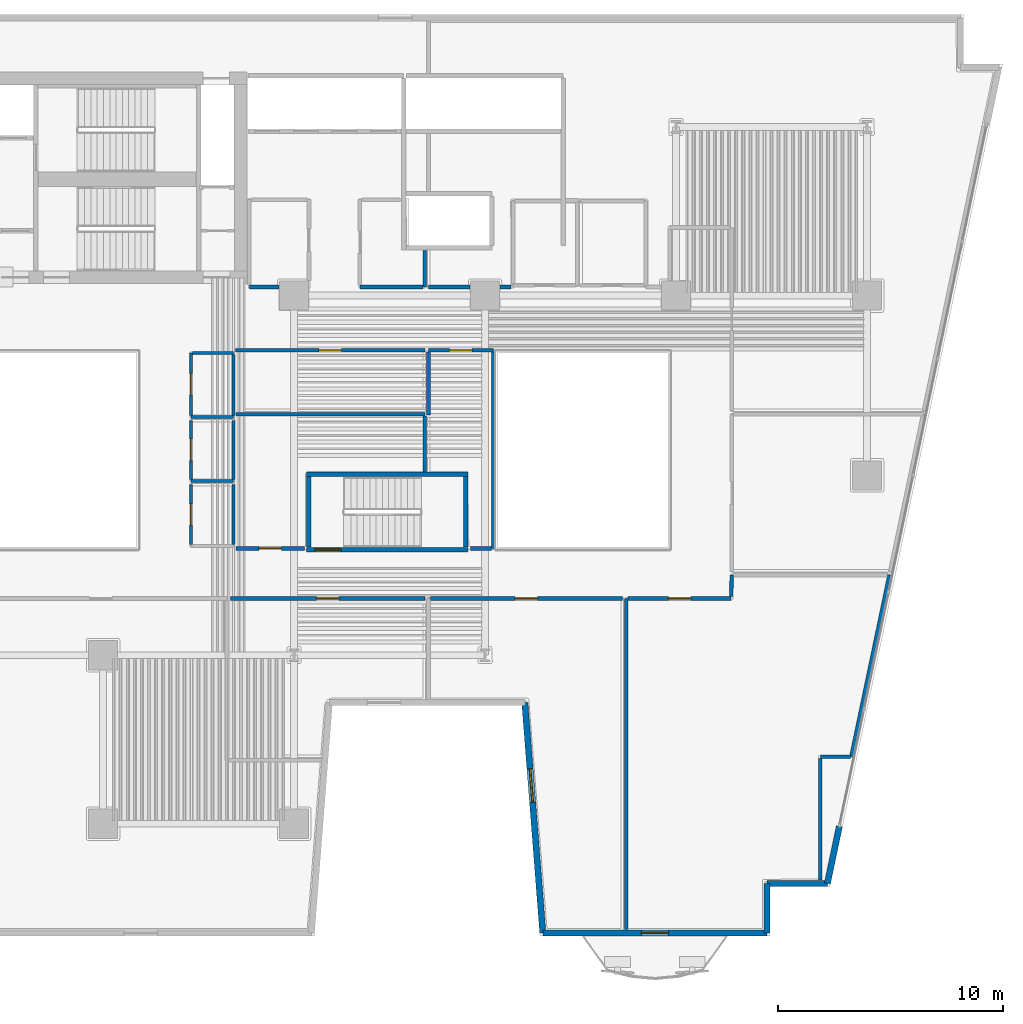
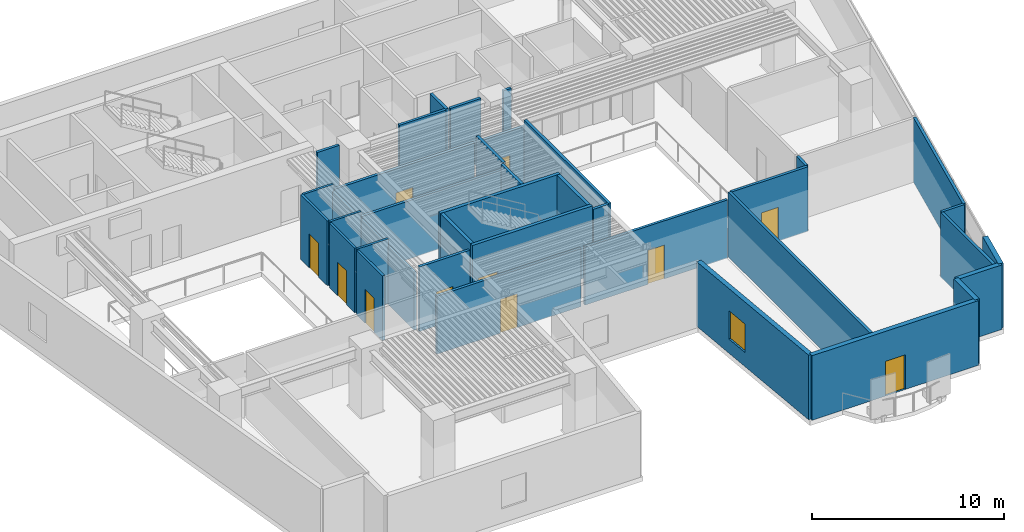
# One storey, part 4 of 12: 39 walls, 11 doors, 1 window, 12 openings.
"""IFC4 building model written with IfcOpenShell, lengths in metres."""

from ifc_helpers import new_model, si_unit, direction, frame, frame_2d, origin, place, context, subcontext, project, spatial, rectangle, extrude, material, layer, layer_set, type_object, element, fill, save


model = new_model("IFC4")

# Units and contexts
model_context = context("Model", 3, precision=1e-05, world=origin(), true_north=direction((0.0, 1.0)))
body_context = subcontext(model_context, "Body", "Model", "MODEL_VIEW")
ifc_project = project(units=[si_unit("LENGTHUNIT", "METRE"), si_unit("AREAUNIT", "SQUARE_METRE"), si_unit("VOLUMEUNIT", "CUBIC_METRE"), si_unit("PLANEANGLEUNIT", "RADIAN"), si_unit("MASSUNIT", "GRAM", prefix="KILO")], contexts=[model_context])

# Site, building, storey
site_placement = place(None, origin())
site = spatial("IfcSite", under=ifc_project, at=site_placement, CompositionType="ELEMENT")
building_placement = place(site_placement, origin())
building = spatial("IfcBuilding", under=site, at=building_placement, Name="Caeloran Harvest Quay", CompositionType="ELEMENT")
storey_placement = place(building_placement, frame((0.0, 0.0, 57.800048828125)))
storey = spatial("IfcBuildingStorey", under=building, at=storey_placement, Name="L13", CompositionType="ELEMENT", Elevation=57.800048828125)

# Walls
ifc_material_1 = material(Name="Precast concrete C50/60", Category="concrete")
ifc_layer_1 = layer(ifc_material_1, 0.280029296875, Name="Precast concrete C50/60")
ifc_layer_set_1 = layer_set([ifc_layer_1], Name="Precast concrete C50/60")
wall_type_1 = type_object("IfcWallType", Name="ENV-WALL-EW-280", PredefinedType="STANDARD", material=ifc_layer_set_1)
wall_1_placement = place(storey_placement, frame((49.77001953125, 7.384521484375, 0.0), z_axis=(0.0, 0.0, 1.0), x_axis=(-0.205551409765, -0.978646319128, 0.0)))
element("IfcWall", 1, at=wall_1_placement, inside=storey, type_object=wall_type_1, Name="L13 Exterior Facade Corner Pier Wall 9B", PredefinedType="STANDARD", context=body_context, shape_type="SweptSolid", body=[
    extrude(rectangle(XDim=2.599853515625, YDim=0.280029296875, at=frame_2d((1.2998046875, 0.0))), origin(), (0.0, 0.0, 1.0), 4.099853515625),
])
wall_2_placement = place(storey_placement, frame((49.235595703125, 4.840087890625, 0.0), z_axis=(0.0, 0.0, 1.0), x_axis=(-1.0, 0.0, 0.0)))
element("IfcWall", 2, at=wall_2_placement, inside=storey, type_object=wall_type_1, Name="L13 Exterior Precast Concrete Facade Wall 10", PredefinedType="STANDARD", context=body_context, shape_type="SweptSolid", body=[
    extrude(rectangle(XDim=2.6884765625, YDim=0.280029296875, at=frame_2d((1.34423828125, 0.0))), origin(), (0.0, 0.0, 1.0), 4.099853515625),
])
wall_3_placement = place(storey_placement, frame((46.547119140625, 4.840087890625, 0.0), z_axis=(0.0, 0.0, 1.0), x_axis=(0.0, -1.0, 0.0)))
element("IfcWall", 3, at=wall_3_placement, inside=storey, type_object=wall_type_1, Name="L13 Exterior Precast Concrete Facade Wall 11", PredefinedType="STANDARD", context=body_context, shape_type="SweptSolid", body=[
    extrude(rectangle(XDim=2.2001953125, YDim=0.280029296875, at=frame_2d((1.10009765625, 0.0))), origin(), (0.0, 0.0, 1.0), 4.099853515625),
])

# Wall, opening, door
wall_4_placement = place(storey_placement, frame((46.547119140625, 2.639892578125, 0.0), z_axis=(0.0, 0.0, 1.0), x_axis=(-1.0, 0.0, 0.0)))
wall_4 = element("IfcWall", 4, at=wall_4_placement, inside=storey, type_object=wall_type_1, Name="L13 Exterior Precast Concrete Facade Wall 12", PredefinedType="STANDARD", context=body_context, shape_type="SweptSolid", body=[
    extrude(rectangle(XDim=9.97705078125, YDim=0.280029296875, at=frame_2d((4.988525390625, 0.0))), origin(), (0.0, 0.0, 1.0), 4.099853515625),
])
opening_1_placement = place(wall_4_placement, frame((4.387939453125, 0.0, 0.0)))
opening_1 = element("IfcOpeningElement", 5, at=opening_1_placement, cuts=wall_4, Name="Opening BD-01", PredefinedType="OPENING", context=body_context, shape_type="SweptSolid", body=[
    extrude(rectangle(XDim=1.199951171875, YDim=2.199951171875, at=frame_2d((0.60009765625, 1.10009765625))), frame((0.0, 0.14990234375, 0.0), z_axis=(0.0, -1.0, 0.0), x_axis=(1.0, 0.0, 0.0)), (0.0, 0.0, 1.0), 0.300048828125),
])
ifc_material_2 = material(Name="Thermally Broken Powder-Coated Aluminium and Safety Glass", Category="aluminium")
door_type_1 = type_object("IfcDoorType", Name="EXTDOOR-BD-01", OperationType="NOTDEFINED", PredefinedType="DOOR", material=ifc_material_2)
door_1_placement = place(opening_1_placement, origin())
door_1 = element("IfcDoor", 6, at=door_1_placement, inside=storey, type_object=door_type_1, Name="L13 Planted Balcony Glazed Access Door", OperationType="SINGLE_SWING_RIGHT", OverallHeight=2.199951171875, OverallWidth=1.199951171875, PredefinedType="DOOR", context=body_context, shape_type="SweptSolid", body=[
    extrude(rectangle(XDim=1.199951171875, YDim=2.199951171875, at=frame_2d((0.60009765625, 1.10009765625))), frame((0.0, 0.02490234375, 0.0), z_axis=(0.0, -1.0, 0.0), x_axis=(1.0, 0.0, 0.0)), (0.0, 0.0, 1.0), 0.050048828125),
])
fill(opening_1, door_1)

# Wall, opening, window
wall_5_placement = place(storey_placement, frame((36.570068359375, 2.639892578125, 0.0), z_axis=(0.0, 0.0, 1.0), x_axis=(-0.077816860153, 0.996967670627, 0.0)))
wall_5 = element("IfcWall", 7, at=wall_5_placement, inside=storey, type_object=wall_type_1, Name="L13 Exterior Precast Concrete Facade Wall 13", PredefinedType="STANDARD", context=body_context, shape_type="SweptSolid", body=[
    extrude(rectangle(XDim=10.28125, YDim=0.280029296875, at=frame_2d((5.140625, 0.0))), origin(), (0.0, 0.0, 1.0), 4.099853515625),
])
opening_2_placement = place(wall_5_placement, frame((5.830078125, 0.0, 0.89990234375)))
opening_2 = element("IfcOpeningElement", 8, at=opening_2_placement, cuts=wall_5, Name="Opening W-03", PredefinedType="OPENING", context=body_context, shape_type="SweptSolid", body=[
    extrude(rectangle(XDim=1.5, YDim=1.800048828125, at=frame_2d((0.75, 0.89990234375))), frame((0.0, 0.14990234375, 0.0), z_axis=(0.0, -1.0, 0.0), x_axis=(1.0, 0.0, 0.0)), (0.0, 0.0, 1.0), 0.300048828125),
])
ifc_material_3 = material(Name="Aluminium-Framed Low-E Laminated Glass", Category="aluminium")
window_type = type_object("IfcWindowType", Name="WIN-W-03", PartitioningType="SINGLE_PANEL", PredefinedType="WINDOW", material=ifc_material_3)
window_placement = place(opening_2_placement, origin())
window = element("IfcWindow", 9, at=window_placement, inside=storey, type_object=window_type, Name="L13 Facade Punched Window W-03", OverallHeight=1.800048828125, OverallWidth=1.5, PartitioningType="SINGLE_PANEL", PredefinedType="WINDOW", context=body_context, shape_type="SweptSolid", body=[
    extrude(rectangle(XDim=1.5, YDim=1.800048828125, at=frame_2d((0.75, 0.89990234375))), frame((0.0, 0.030029296875, 0.0), z_axis=(0.0, -1.0, 0.0), x_axis=(1.0, 0.0, 0.0)), (0.0, 0.0, 1.0), 0.06005859375),
])
fill(opening_2, window)

# Wall
ifc_material_4 = material(Name="Moisture-Resistant Cement-Board Sanitary Partition", Category="gypsum")
ifc_layer_2 = layer(ifc_material_4, 0.139892578125, Name="Moisture-Resistant Cement-Board Sanitary Partition")
ifc_layer_set_2 = layer_set([ifc_layer_2], Name="Moisture-Resistant Cement-Board Sanitary Partition")
wall_type_2 = type_object("IfcWallType", Name="INT-WALL-PW-140", PredefinedType="PARTITIONING", material=ifc_layer_set_2)
wall_6_placement = place(storey_placement, frame((22.800048828125, 25.60009765625, 0.0), z_axis=(0.0, 0.0, 1.0), x_axis=(-1.0, 0.0, 0.0)))
element("IfcWall", 10, at=wall_6_placement, inside=storey, type_object=wall_type_2, Name="L13 Male Washroom WC Partition Wall", PredefinedType="PARTITIONING", context=body_context, shape_type="SweptSolid", body=[
    extrude(rectangle(XDim=1.89013671875, YDim=0.139892578125, at=frame_2d((0.945068359375, 0.0))), origin(), (0.0, 0.0, 1.0), 4.099853515625),
])

# Wall, opening, door
wall_7_placement = place(storey_placement, frame((20.909912109375, 25.675048828125, 0.0), z_axis=(0.0, 0.0, 1.0), x_axis=(0.0, 1.0, 0.0)))
wall_7 = element("IfcWall", 11, at=wall_7_placement, inside=storey, type_object=wall_type_2, Name="L13 Male Washroom WC Partition Wall", PredefinedType="PARTITIONING", context=body_context, shape_type="SweptSolid", body=[
    extrude(rectangle(XDim=2.77490234375, YDim=0.139892578125, at=frame_2d((1.387451171875, 0.0))), origin(), (0.0, 0.0, 1.0), 4.099853515625),
])
opening_3_placement = place(wall_7_placement, frame((0.91259765625, 0.0, 0.0)))
opening_3 = element("IfcOpeningElement", 12, at=opening_3_placement, cuts=wall_7, Name="Opening WC-01", PredefinedType="OPENING", context=body_context, shape_type="SweptSolid", body=[
    extrude(rectangle(XDim=0.949951171875, YDim=2.14990234375, at=frame_2d((0.47509765625, 1.074951171875))), frame((0.0, 0.080078125, 0.0), z_axis=(0.0, -1.0, 0.0), x_axis=(1.0, 0.0, 0.0)), (0.0, 0.0, 1.0), 0.159912109375),
])
ifc_material_5 = material(Name="High-Pressure Laminate Moisture-Resistant Timber", Category="wood")
door_type_2 = type_object("IfcDoorType", Name="INTDOOR-WC-01", OperationType="NOTDEFINED", PredefinedType="DOOR", material=ifc_material_5)
door_2_placement = place(opening_3_placement, origin())
door_2 = element("IfcDoor", 13, at=door_2_placement, inside=storey, type_object=door_type_2, Name="L13 Male Washroom WC Access Door", OperationType="SINGLE_SWING_LEFT", OverallHeight=2.14990234375, OverallWidth=0.949951171875, PredefinedType="DOOR", context=body_context, shape_type="SweptSolid", body=[
    extrude(rectangle(XDim=0.949951171875, YDim=2.14990234375, at=frame_2d((0.47509765625, 1.074951171875))), frame((0.0, 0.02490234375, 0.0), z_axis=(0.0, -1.0, 0.0), x_axis=(1.0, 0.0, 0.0)), (0.0, 0.0, 1.0), 0.050048828125),
])
fill(opening_3, door_2)

# Walls
wall_8_placement = place(storey_placement, frame((20.985107421875, 28.449951171875, 0.0), z_axis=(0.0, 0.0, 1.0), x_axis=(1.0, 0.0, 0.0)))
element("IfcWall", 14, at=wall_8_placement, inside=storey, type_object=wall_type_2, Name="L13 Male Washroom WC Partition Wall", PredefinedType="PARTITIONING", context=body_context, shape_type="SweptSolid", body=[
    extrude(rectangle(XDim=1.81494140625, YDim=0.139892578125, at=frame_2d((0.907470703125, 0.0))), origin(), (0.0, 0.0, 1.0), 4.099853515625),
])
wall_9_placement = place(storey_placement, frame((22.800048828125, 28.375, 0.0), z_axis=(0.0, 0.0, 1.0), x_axis=(0.0, -1.0, 0.0)))
element("IfcWall", 15, at=wall_9_placement, inside=storey, type_object=wall_type_2, Name="L13 Male Washroom WC Partition Wall", PredefinedType="PARTITIONING", context=body_context, shape_type="SweptSolid", body=[
    extrude(rectangle(XDim=2.699951171875, YDim=0.139892578125, at=frame_2d((1.35009765625, 0.0))), origin(), (0.0, 0.0, 1.0), 3.68505859375),
])
wall_10_placement = place(storey_placement, frame((22.800048828125, 22.75, 0.0), z_axis=(0.0, 0.0, 1.0), x_axis=(-1.0, 0.0, 0.0)))
element("IfcWall", 16, at=wall_10_placement, inside=storey, type_object=wall_type_2, Name="L13 Female Washroom WC Partition Wall", PredefinedType="PARTITIONING", context=body_context, shape_type="SweptSolid", body=[
    extrude(rectangle(XDim=1.89013671875, YDim=0.139892578125, at=frame_2d((0.945068359375, 0.0))), origin(), (0.0, 0.0, 1.0), 4.099853515625),
])

# Wall, opening, door
wall_11_placement = place(storey_placement, frame((20.909912109375, 22.824951171875, 0.0), z_axis=(0.0, 0.0, 1.0), x_axis=(0.0, 1.0, 0.0)))
wall_11 = element("IfcWall", 17, at=wall_11_placement, inside=storey, type_object=wall_type_2, Name="L13 Female Washroom WC Partition Wall", PredefinedType="PARTITIONING", context=body_context, shape_type="SweptSolid", body=[
    extrude(rectangle(XDim=2.625, YDim=0.139892578125, at=frame_2d((1.3125, 0.0))), origin(), (0.0, 0.0, 1.0), 4.099853515625),
])
opening_4_placement = place(wall_11_placement, frame((0.83740234375, 0.0, 0.0)))
opening_4 = element("IfcOpeningElement", 18, at=opening_4_placement, cuts=wall_11, Name="Opening WC-01", PredefinedType="OPENING", context=body_context, shape_type="SweptSolid", body=[
    extrude(rectangle(XDim=0.949951171875, YDim=2.14990234375, at=frame_2d((0.47509765625, 1.074951171875))), frame((0.0, 0.080078125, 0.0), z_axis=(0.0, -1.0, 0.0), x_axis=(1.0, 0.0, 0.0)), (0.0, 0.0, 1.0), 0.159912109375),
])
door_3_placement = place(opening_4_placement, origin())
door_3 = element("IfcDoor", 19, at=door_3_placement, inside=storey, type_object=door_type_2, Name="L13 Female Washroom WC Access Door", OperationType="SINGLE_SWING_RIGHT", OverallHeight=2.14990234375, OverallWidth=0.949951171875, PredefinedType="DOOR", context=body_context, shape_type="SweptSolid", body=[
    extrude(rectangle(XDim=0.949951171875, YDim=2.14990234375, at=frame_2d((0.47509765625, 1.074951171875))), frame((0.0, 0.02490234375, 0.0), z_axis=(0.0, -1.0, 0.0), x_axis=(1.0, 0.0, 0.0)), (0.0, 0.0, 1.0), 0.050048828125),
])
fill(opening_4, door_3)

# Wall
wall_12_placement = place(storey_placement, frame((22.800048828125, 25.449951171875, 0.0), z_axis=(0.0, 0.0, 1.0), x_axis=(0.0, -1.0, 0.0)))
element("IfcWall", 20, at=wall_12_placement, inside=storey, type_object=wall_type_2, Name="L13 Female Washroom WC Partition Wall", PredefinedType="PARTITIONING", context=body_context, shape_type="SweptSolid", body=[
    extrude(rectangle(XDim=2.625, YDim=0.139892578125, at=frame_2d((1.3125, 0.0))), origin(), (0.0, 0.0, 1.0), 3.68505859375),
])

# Wall, opening, door
wall_13_placement = place(storey_placement, frame((20.909912109375, 19.925048828125, 0.0), z_axis=(0.0, 0.0, 1.0), x_axis=(0.0, 1.0, 0.0)))
wall_13 = element("IfcWall", 21, at=wall_13_placement, inside=storey, type_object=wall_type_2, Name="L13 Accessible Unisex Washroom WC Partition Wall", PredefinedType="PARTITIONING", context=body_context, shape_type="SweptSolid", body=[
    extrude(rectangle(XDim=2.675048828125, YDim=0.139892578125, at=frame_2d((1.33740234375, 0.0))), origin(), (0.0, 0.0, 1.0), 4.099853515625),
])
opening_5_placement = place(wall_13_placement, frame((0.862548828125, 0.0, 0.0)))
opening_5 = element("IfcOpeningElement", 22, at=opening_5_placement, cuts=wall_13, Name="Opening WC-01", PredefinedType="OPENING", context=body_context, shape_type="SweptSolid", body=[
    extrude(rectangle(XDim=0.949951171875, YDim=2.14990234375, at=frame_2d((0.47509765625, 1.074951171875))), frame((0.0, 0.080078125, 0.0), z_axis=(0.0, -1.0, 0.0), x_axis=(1.0, 0.0, 0.0)), (0.0, 0.0, 1.0), 0.159912109375),
])
door_4_placement = place(opening_5_placement, origin())
door_4 = element("IfcDoor", 23, at=door_4_placement, inside=storey, type_object=door_type_2, Name="L13 Accessible Unisex Washroom WC Access Door", OperationType="SINGLE_SWING_LEFT", OverallHeight=2.14990234375, OverallWidth=0.949951171875, PredefinedType="DOOR", context=body_context, shape_type="SweptSolid", body=[
    extrude(rectangle(XDim=0.949951171875, YDim=2.14990234375, at=frame_2d((0.47509765625, 1.074951171875))), frame((0.0, 0.02490234375, 0.0), z_axis=(0.0, -1.0, 0.0), x_axis=(1.0, 0.0, 0.0)), (0.0, 0.0, 1.0), 0.050048828125),
])
fill(opening_5, door_4)

# Walls
wall_14_placement = place(storey_placement, frame((22.800048828125, 22.60009765625, 0.0), z_axis=(0.0, 0.0, 1.0), x_axis=(0.0, -1.0, 0.0)))
element("IfcWall", 24, at=wall_14_placement, inside=storey, type_object=wall_type_2, Name="L13 Accessible Unisex Washroom WC Partition Wall", PredefinedType="PARTITIONING", context=body_context, shape_type="SweptSolid", body=[
    extrude(rectangle(XDim=2.675048828125, YDim=0.139892578125, at=frame_2d((1.33740234375, 0.0))), origin(), (0.0, 0.0, 1.0), 3.68505859375),
])
ifc_material_6 = material(Name="Autoclaved Aerated Concrete Blockwork", Category="masonry")
ifc_layer_3 = layer(ifc_material_6, 0.1650390625, Name="Autoclaved Aerated Concrete Blockwork")
ifc_layer_set_3 = layer_set([ifc_layer_3], Name="Autoclaved Aerated Concrete Blockwork")
wall_type_3 = type_object("IfcWallType", Name="INT-WALL-PW-165", PredefinedType="PARTITIONING", material=ifc_layer_set_3)
wall_15_placement = place(storey_placement, frame((51.9970703125, 18.570068359375, 0.0), z_axis=(0.0, 0.0, 1.0), x_axis=(-0.205523740085, -0.978652130362, 0.0)))
element("IfcWall", 25, at=wall_15_placement, inside=storey, type_object=wall_type_3, Name="Hydroponic Culinary Kitchen Partition Wall", PredefinedType="PARTITIONING", context=body_context, shape_type="SweptSolid", body=[
    extrude(rectangle(XDim=8.2666015625, YDim=0.1650390625, at=frame_2d((4.13330078125, 0.0))), origin(), (0.0, 0.0, 1.0), 4.099853515625),
])
wall_16_placement = place(storey_placement, frame((50.273681640625, 10.47998046875, 0.0), z_axis=(0.0, 0.0, 1.0), x_axis=(-1.0, 0.0, 0.0)))
element("IfcWall", 26, at=wall_16_placement, inside=storey, type_object=wall_type_3, Name="Hydroponic Culinary Kitchen Partition Wall", PredefinedType="PARTITIONING", context=body_context, shape_type="SweptSolid", body=[
    extrude(rectangle(XDim=1.353759765625, YDim=0.1650390625, at=frame_2d((0.6767578125, 0.0))), origin(), (0.0, 0.0, 1.0), 4.099853515625),
])
wall_17_placement = place(storey_placement, frame((48.919921875, 10.392578125, 0.0), z_axis=(0.0, 0.0, 1.0), x_axis=(0.0, -1.0, 0.0)))
element("IfcWall", 27, at=wall_17_placement, inside=storey, type_object=wall_type_3, Name="Hydroponic Culinary Kitchen Partition Wall", PredefinedType="PARTITIONING", context=body_context, shape_type="SweptSolid", body=[
    extrude(rectangle(XDim=5.407470703125, YDim=0.1650390625, at=frame_2d((2.70361328125, 0.0))), origin(), (0.0, 0.0, 1.0), 4.099853515625),
])
wall_18_placement = place(storey_placement, frame((40.280029296875, 2.784912109375, 0.0), z_axis=(0.0, 0.0, 1.0), x_axis=(0.0, 1.0, 0.0)))
element("IfcWall", 28, at=wall_18_placement, inside=storey, type_object=wall_type_3, Name="Hydroponic Culinary Kitchen Partition Wall", PredefinedType="PARTITIONING", context=body_context, shape_type="SweptSolid", body=[
    extrude(rectangle(XDim=14.735107421875, YDim=0.1650390625, at=frame_2d((7.36767578125, 0.0))), origin(), (0.0, 0.0, 1.0), 4.099853515625),
])

# Wall, opening, door
wall_19_placement = place(storey_placement, frame((40.367431640625, 17.52001953125, 0.0), z_axis=(0.0, 0.0, 1.0), x_axis=(1.0, 0.0, 0.0)))
wall_19 = element("IfcWall", 29, at=wall_19_placement, inside=storey, type_object=wall_type_3, Name="Hydroponic Culinary Kitchen Partition Wall", PredefinedType="PARTITIONING", context=body_context, shape_type="SweptSolid", body=[
    extrude(rectangle(XDim=4.58251953125, YDim=0.1650390625, at=frame_2d((2.291259765625, 0.0))), origin(), (0.0, 0.0, 1.0), 4.099853515625),
])
opening_6_placement = place(wall_19_placement, frame((1.791259765625, 0.0, 0.0)))
opening_6 = element("IfcOpeningElement", 30, at=opening_6_placement, cuts=wall_19, Name="Opening ID-01", PredefinedType="OPENING", context=body_context, shape_type="SweptSolid", body=[
    extrude(rectangle(XDim=1.0, YDim=2.14990234375, at=frame_2d((0.5, 1.074951171875))), frame((0.0, 0.092529296875, 0.0), z_axis=(0.0, -1.0, 0.0), x_axis=(1.0, 0.0, 0.0)), (0.0, 0.0, 1.0), 0.18505859375),
])
ifc_material_7 = material(Name="FSC Solid-Core Ash Timber and Acoustic Seal", Category="wood")
door_type_3 = type_object("IfcDoorType", Name="INTDOOR-ID-01", OperationType="NOTDEFINED", PredefinedType="DOOR", material=ifc_material_7)
door_5_placement = place(opening_6_placement, origin())
door_5 = element("IfcDoor", 31, at=door_5_placement, inside=storey, type_object=door_type_3, Name="Hydroponic Culinary Kitchen Access Door", OperationType="SINGLE_SWING_LEFT", OverallHeight=2.14990234375, OverallWidth=1.0, PredefinedType="DOOR", context=body_context, shape_type="SweptSolid", body=[
    extrude(rectangle(XDim=1.0, YDim=2.14990234375, at=frame_2d((0.5, 1.074951171875))), frame((0.0, 0.02490234375, 0.0), z_axis=(0.0, -1.0, 0.0), x_axis=(1.0, 0.0, 0.0)), (0.0, 0.0, 1.0), 0.050048828125),
])
fill(opening_6, door_5)

# Wall
wall_20_placement = place(storey_placement, frame((44.952392578125, 17.606689453125, 0.0), z_axis=(0.0, 0.0, 1.0), x_axis=(0.028624859452, 0.999590224753, 0.0)))
element("IfcWall", 32, at=wall_20_placement, inside=storey, type_object=wall_type_3, Name="Hydroponic Culinary Kitchen Partition Wall", PredefinedType="PARTITIONING", context=body_context, shape_type="SweptSolid", body=[
    extrude(rectangle(XDim=0.9638671875, YDim=0.1650390625, at=frame_2d((0.48193359375, 0.0))), origin(), (0.0, 0.0, 1.0), 4.099853515625),
])

# Wall, opening, door
wall_21_placement = place(storey_placement, frame((31.5673828125, 17.52001953125, 0.0), z_axis=(0.0, 0.0, 1.0), x_axis=(1.0, 0.0, 0.0)))
wall_21 = element("IfcWall", 33, at=wall_21_placement, inside=storey, type_object=wall_type_3, Name="Seedling Sensory Salon Lounge Partition Wall", PredefinedType="PARTITIONING", context=body_context, shape_type="SweptSolid", body=[
    extrude(rectangle(XDim=8.552734375, YDim=0.1650390625, at=frame_2d((4.2763671875, 0.0))), origin(), (0.0, 0.0, 1.0), 3.68505859375),
])
opening_7_placement = place(wall_21_placement, frame((3.776123046875, 0.0, 0.0)))
opening_7 = element("IfcOpeningElement", 34, at=opening_7_placement, cuts=wall_21, Name="Opening ID-01", PredefinedType="OPENING", context=body_context, shape_type="SweptSolid", body=[
    extrude(rectangle(XDim=1.0, YDim=2.14990234375, at=frame_2d((0.5, 1.074951171875))), frame((0.0, 0.092529296875, 0.0), z_axis=(0.0, -1.0, 0.0), x_axis=(1.0, 0.0, 0.0)), (0.0, 0.0, 1.0), 0.18505859375),
])
door_6_placement = place(opening_7_placement, origin())
door_6 = element("IfcDoor", 35, at=door_6_placement, inside=storey, type_object=door_type_3, Name="Seedling Sensory Salon Lounge Access Door", OperationType="SINGLE_SWING_RIGHT", OverallHeight=2.14990234375, OverallWidth=1.0, PredefinedType="DOOR", context=body_context, shape_type="SweptSolid", body=[
    extrude(rectangle(XDim=1.0, YDim=2.14990234375, at=frame_2d((0.5, 1.074951171875))), frame((0.0, 0.02490234375, 0.0), z_axis=(0.0, -1.0, 0.0), x_axis=(1.0, 0.0, 0.0)), (0.0, 0.0, 1.0), 0.050048828125),
])
fill(opening_7, door_6)

wall_22_placement = place(storey_placement, frame((22.679931640625, 17.52001953125, 0.0), z_axis=(0.0, 0.0, 1.0), x_axis=(1.0, 0.0, 0.0)))
wall_22 = element("IfcWall", 36, at=wall_22_placement, inside=storey, type_object=wall_type_3, Name="Harvest Seminar Room Partition Wall", PredefinedType="PARTITIONING", context=body_context, shape_type="SweptSolid", body=[
    extrude(rectangle(XDim=8.64013671875, YDim=0.1650390625, at=frame_2d((4.320068359375, 0.0))), origin(), (0.0, 0.0, 1.0), 3.68505859375),
])
opening_8_placement = place(wall_22_placement, frame((3.820068359375, 0.0, 0.0)))
opening_8 = element("IfcOpeningElement", 37, at=opening_8_placement, cuts=wall_22, Name="Opening ID-01", PredefinedType="OPENING", context=body_context, shape_type="SweptSolid", body=[
    extrude(rectangle(XDim=1.0, YDim=2.14990234375, at=frame_2d((0.5, 1.074951171875))), frame((0.0, 0.092529296875, 0.0), z_axis=(0.0, -1.0, 0.0), x_axis=(1.0, 0.0, 0.0)), (0.0, 0.0, 1.0), 0.18505859375),
])
door_7_placement = place(opening_8_placement, origin())
door_7 = element("IfcDoor", 38, at=door_7_placement, inside=storey, type_object=door_type_3, Name="Harvest Seminar Room Access Door", OperationType="SINGLE_SWING_RIGHT", OverallHeight=2.14990234375, OverallWidth=1.0, PredefinedType="DOOR", context=body_context, shape_type="SweptSolid", body=[
    extrude(rectangle(XDim=1.0, YDim=2.14990234375, at=frame_2d((0.5, 1.074951171875))), frame((0.0, 0.02490234375, 0.0), z_axis=(0.0, -1.0, 0.0), x_axis=(1.0, 0.0, 0.0)), (0.0, 0.0, 1.0), 0.050048828125),
])
fill(opening_8, door_7)

wall_23_placement = place(storey_placement, frame((25.95556640625, 19.75, 0.0), z_axis=(0.0, 0.0, 1.0), x_axis=(-1.0, 0.0, 0.0)))
wall_23 = element("IfcWall", 39, at=wall_23_placement, inside=storey, type_object=wall_type_3, Name="Tea Blending Kitchen Partition Wall", PredefinedType="PARTITIONING", context=body_context, shape_type="SweptSolid", body=[
    extrude(rectangle(XDim=3.045654296875, YDim=0.1650390625, at=frame_2d((1.52294921875, 0.0))), origin(), (0.0, 0.0, 1.0), 4.099853515625),
])
opening_9_placement = place(wall_23_placement, frame((1.022705078125, 0.0, 0.0)))
opening_9 = element("IfcOpeningElement", 40, at=opening_9_placement, cuts=wall_23, Name="Opening ID-01", PredefinedType="OPENING", context=body_context, shape_type="SweptSolid", body=[
    extrude(rectangle(XDim=1.0, YDim=2.14990234375, at=frame_2d((0.5, 1.074951171875))), frame((0.0, 0.092529296875, 0.0), z_axis=(0.0, -1.0, 0.0), x_axis=(1.0, 0.0, 0.0)), (0.0, 0.0, 1.0), 0.18505859375),
])
door_8_placement = place(opening_9_placement, origin())
door_8 = element("IfcDoor", 41, at=door_8_placement, inside=storey, type_object=door_type_3, Name="Tea Blending Kitchen Access Door", OperationType="SINGLE_SWING_RIGHT", OverallHeight=2.14990234375, OverallWidth=1.0, PredefinedType="DOOR", context=body_context, shape_type="SweptSolid", body=[
    extrude(rectangle(XDim=1.0, YDim=2.14990234375, at=frame_2d((0.5, 1.074951171875))), frame((0.0, 0.02490234375, 0.0), z_axis=(0.0, -1.0, 0.0), x_axis=(1.0, 0.0, 0.0)), (0.0, 0.0, 1.0), 0.050048828125),
])
fill(opening_9, door_8)

# Walls
wall_24_placement = place(storey_placement, frame((22.909912109375, 25.719970703125, 0.0), z_axis=(0.0, 0.0, 1.0), x_axis=(1.0, 0.0, 0.0)))
element("IfcWall", 42, at=wall_24_placement, inside=storey, type_object=wall_type_3, Name="Tea Blending Kitchen Partition Wall", PredefinedType="PARTITIONING", context=body_context, shape_type="SweptSolid", body=[
    extrude(rectangle(XDim=8.41015625, YDim=0.1650390625, at=frame_2d((4.205078125, 0.0))), origin(), (0.0, 0.0, 1.0), 3.68505859375),
])
wall_25_placement = place(storey_placement, frame((31.320068359375, 25.632568359375, 0.0), z_axis=(0.0, 0.0, 1.0), x_axis=(0.0, -1.0, 0.0)))
element("IfcWall", 43, at=wall_25_placement, inside=storey, type_object=wall_type_3, Name="Tea Blending Kitchen Partition Wall", PredefinedType="PARTITIONING", context=body_context, shape_type="SweptSolid", body=[
    extrude(rectangle(XDim=2.4775390625, YDim=0.1650390625, at=frame_2d((1.23876953125, 0.0))), origin(), (0.0, 0.0, 1.0), 4.099853515625),
])

# Wall, opening, door
wall_26_placement = place(storey_placement, frame((31.47998046875, 28.570068359375, 0.0), z_axis=(0.0, 0.0, 1.0), x_axis=(1.0, 0.0, 0.0)))
wall_26 = element("IfcWall", 44, at=wall_26_placement, inside=storey, type_object=wall_type_3, Name="Fermented Botanical Kitchen 8 Partition Wall", PredefinedType="PARTITIONING", context=body_context, shape_type="SweptSolid", body=[
    extrude(rectangle(XDim=2.89013671875, YDim=0.1650390625, at=frame_2d((1.445068359375, 0.0))), origin(), (0.0, 0.0, 1.0), 3.68505859375),
])
opening_10_placement = place(wall_26_placement, frame((0.945068359375, 0.0, 0.0)))
opening_10 = element("IfcOpeningElement", 45, at=opening_10_placement, cuts=wall_26, Name="Opening ID-01", PredefinedType="OPENING", context=body_context, shape_type="SweptSolid", body=[
    extrude(rectangle(XDim=1.0, YDim=2.14990234375, at=frame_2d((0.5, 1.074951171875))), frame((0.0, 0.092529296875, 0.0), z_axis=(0.0, -1.0, 0.0), x_axis=(1.0, 0.0, 0.0)), (0.0, 0.0, 1.0), 0.18505859375),
])
door_9_placement = place(opening_10_placement, origin())
door_9 = element("IfcDoor", 46, at=door_9_placement, inside=storey, type_object=door_type_3, Name="Fermented Botanical Kitchen 8 Access Door", OperationType="SINGLE_SWING_LEFT", OverallHeight=2.14990234375, OverallWidth=1.0, PredefinedType="DOOR", context=body_context, shape_type="SweptSolid", body=[
    extrude(rectangle(XDim=1.0, YDim=2.14990234375, at=frame_2d((0.5, 1.074951171875))), frame((0.0, 0.02490234375, 0.0), z_axis=(0.0, -1.0, 0.0), x_axis=(1.0, 0.0, 0.0)), (0.0, 0.0, 1.0), 0.050048828125),
])
fill(opening_10, door_9)

# Walls
wall_27_placement = place(storey_placement, frame((34.3701171875, 28.482421875, 0.0), z_axis=(0.0, 0.0, 1.0), x_axis=(0.0, -1.0, 0.0)))
element("IfcWall", 47, at=wall_27_placement, inside=storey, type_object=wall_type_3, Name="Fermented Botanical Kitchen 8 Partition Wall", PredefinedType="PARTITIONING", context=body_context, shape_type="SweptSolid", body=[
    extrude(rectangle(XDim=8.732421875, YDim=0.1650390625, at=frame_2d((4.3662109375, 0.0))), origin(), (0.0, 0.0, 1.0), 4.099853515625),
])
wall_28_placement = place(storey_placement, frame((34.282470703125, 19.75, 0.0), z_axis=(0.0, 0.0, 1.0), x_axis=(-1.0, 0.0, 0.0)))
element("IfcWall", 48, at=wall_28_placement, inside=storey, type_object=wall_type_3, Name="Fermented Botanical Kitchen 8 Partition Wall", PredefinedType="PARTITIONING", context=body_context, shape_type="SweptSolid", body=[
    extrude(rectangle(XDim=0.93798828125, YDim=0.1650390625, at=frame_2d((0.468994140625, 0.0))), origin(), (0.0, 0.0, 1.0), 4.099853515625),
])
wall_29_placement = place(storey_placement, frame((31.47998046875, 25.686279296875, 0.0), z_axis=(0.0, 0.0, 1.0), x_axis=(0.0, 1.0, 0.0)))
element("IfcWall", 49, at=wall_29_placement, inside=storey, type_object=wall_type_3, Name="Fermented Botanical Kitchen 8 Partition Wall", PredefinedType="PARTITIONING", context=body_context, shape_type="SweptSolid", body=[
    extrude(rectangle(XDim=2.796142578125, YDim=0.1650390625, at=frame_2d((1.39794921875, 0.0))), origin(), (0.0, 0.0, 1.0), 4.099853515625),
])

# Wall, opening, door
wall_30_placement = place(storey_placement, frame((22.889892578125, 28.570068359375, 0.0), z_axis=(0.0, 0.0, 1.0), x_axis=(1.0, 0.0, 0.0)))
wall_30 = element("IfcWall", 50, at=wall_30_placement, inside=storey, type_object=wall_type_3, Name="Hydroponic Culinary Kitchen 9 Partition Wall", PredefinedType="PARTITIONING", context=body_context, shape_type="SweptSolid", body=[
    extrude(rectangle(XDim=8.43017578125, YDim=0.1650390625, at=frame_2d((4.215087890625, 0.0))), origin(), (0.0, 0.0, 1.0), 3.68505859375),
])
opening_11_placement = place(wall_30_placement, frame((3.715087890625, 0.0, 0.0)))
opening_11 = element("IfcOpeningElement", 51, at=opening_11_placement, cuts=wall_30, Name="Opening ID-01", PredefinedType="OPENING", context=body_context, shape_type="SweptSolid", body=[
    extrude(rectangle(XDim=1.0, YDim=2.14990234375, at=frame_2d((0.5, 1.074951171875))), frame((0.0, 0.092529296875, 0.0), z_axis=(0.0, -1.0, 0.0), x_axis=(1.0, 0.0, 0.0)), (0.0, 0.0, 1.0), 0.18505859375),
])
door_10_placement = place(opening_11_placement, origin())
door_10 = element("IfcDoor", 52, at=door_10_placement, inside=storey, type_object=door_type_3, Name="Hydroponic Culinary Kitchen 9 Access Door", OperationType="SINGLE_SWING_RIGHT", OverallHeight=2.14990234375, OverallWidth=1.0, PredefinedType="DOOR", context=body_context, shape_type="SweptSolid", body=[
    extrude(rectangle(XDim=1.0, YDim=2.14990234375, at=frame_2d((0.5, 1.074951171875))), frame((0.0, 0.02490234375, 0.0), z_axis=(0.0, -1.0, 0.0), x_axis=(1.0, 0.0, 0.0)), (0.0, 0.0, 1.0), 0.050048828125),
])
fill(opening_11, door_10)

# Walls
wall_31_placement = place(storey_placement, frame((31.320068359375, 33.014892578125, 0.0), z_axis=(0.0, 0.0, 1.0), x_axis=(0.0, -1.0, 0.0)))
element("IfcWall", 53, at=wall_31_placement, inside=storey, type_object=wall_type_3, Name="Seedling Sensory Salon Lounge 10 Partition Wall", PredefinedType="PARTITIONING", context=body_context, shape_type="SweptSolid", body=[
    extrude(rectangle(XDim=1.635009765625, YDim=0.1650390625, at=frame_2d((0.8173828125, 0.0))), origin(), (0.0, 0.0, 1.0), 4.099853515625),
])
wall_32_placement = place(storey_placement, frame((31.232421875, 31.3798828125, 0.0), z_axis=(0.0, 0.0, 1.0), x_axis=(-1.0, 0.0, 0.0)))
element("IfcWall", 54, at=wall_32_placement, inside=storey, type_object=wall_type_3, Name="Seedling Sensory Salon Lounge 10 Partition Wall", PredefinedType="PARTITIONING", context=body_context, shape_type="SweptSolid", body=[
    extrude(rectangle(XDim=2.802490234375, YDim=0.1650390625, at=frame_2d((1.4013671875, 0.0))), origin(), (0.0, 0.0, 1.0), 4.099853515625),
])
wall_33_placement = place(storey_placement, frame((24.824951171875, 31.3798828125, 0.0), z_axis=(0.0, 0.0, 1.0), x_axis=(-1.0, 0.0, 0.0)))
element("IfcWall", 55, at=wall_33_placement, inside=storey, type_object=wall_type_3, Name="Pollination Dining Lounge 11 Partition Wall", PredefinedType="PARTITIONING", context=body_context, shape_type="SweptSolid", body=[
    extrude(rectangle(XDim=1.31494140625, YDim=0.1650390625, at=frame_2d((0.657470703125, 0.0))), origin(), (0.0, 0.0, 1.0), 4.099853515625),
])
wall_34_placement = place(storey_placement, frame((35.155517578125, 31.3798828125, 0.0), z_axis=(0.0, 0.0, 1.0), x_axis=(-1.0, 0.0, 0.0)))
element("IfcWall", 56, at=wall_34_placement, inside=storey, type_object=wall_type_3, Name="Harvest Seminar Room 12 Partition Wall", PredefinedType="PARTITIONING", context=body_context, shape_type="SweptSolid", body=[
    extrude(rectangle(XDim=0.48046875, YDim=0.1650390625, at=frame_2d((0.240234375, 0.0))), origin(), (0.0, 0.0, 1.0), 4.099853515625),
])
wall_35_placement = place(storey_placement, frame((33.324951171875, 31.3798828125, 0.0), z_axis=(0.0, 0.0, 1.0), x_axis=(-1.0, 0.0, 0.0)))
element("IfcWall", 57, at=wall_35_placement, inside=storey, type_object=wall_type_3, Name="Harvest Seminar Room 12 Partition Wall", PredefinedType="PARTITIONING", context=body_context, shape_type="SweptSolid", body=[
    extrude(rectangle(XDim=1.844970703125, YDim=0.1650390625, at=frame_2d((0.92236328125, 0.0))), origin(), (0.0, 0.0, 1.0), 4.099853515625),
])

# Wall, opening, door
ifc_material_8 = material(Name="Concrete C60/75", Category="concrete")
ifc_layer_4 = layer(ifc_material_8, 0.199951171875, Name="Concrete C60/75")
ifc_layer_set_4 = layer_set([ifc_layer_4], Name="Concrete C60/75")
wall_type_4 = type_object("IfcWallType", Name="STR-WALL-SW-200", PredefinedType="SHEAR", material=ifc_layer_set_4)
wall_36_placement = place(storey_placement, frame((26.050048828125, 19.699951171875, 0.0), z_axis=(0.0, 0.0, 1.0), x_axis=(1.0, 0.0, 0.0)))
wall_36 = element("IfcWall", 58, at=wall_36_placement, inside=storey, type_object=wall_type_4, Name="L13 Stair ST-W1 S RC Shaft Shear Wall", PredefinedType="SHEAR", context=body_context, shape_type="SweptSolid", body=[
    extrude(rectangle(XDim=7.199951171875, YDim=0.199951171875, at=frame_2d((3.60009765625, 0.0))), origin(), (0.0, 0.0, 1.0), 4.39990234375),
])
opening_12_placement = place(wall_36_placement, frame((0.3798828125, 0.0, 0.0)))
opening_12 = element("IfcOpeningElement", 59, at=opening_12_placement, cuts=wall_36, Name="Opening SD-01", PredefinedType="OPENING", context=body_context, shape_type="SweptSolid", body=[
    extrude(rectangle(XDim=1.14990234375, YDim=2.199951171875, at=frame_2d((0.574951171875, 1.10009765625))), frame((0.0, 0.10986328125, 0.0), z_axis=(0.0, -1.0, 0.0), x_axis=(1.0, 0.0, 0.0)), (0.0, 0.0, 1.0), 0.219970703125),
])
ifc_material_9 = material(Name="Steel", Category="steel")
door_type_4 = type_object("IfcDoorType", Name="INTDOOR-SD-01", OperationType="NOTDEFINED", PredefinedType="DOOR", material=ifc_material_9)
door_11_placement = place(opening_12_placement, origin())
door_11 = element("IfcDoor", 60, at=door_11_placement, inside=storey, type_object=door_type_4, Name="L13 Protected Exit Stair ST-W1 Fire Door", OperationType="SINGLE_SWING_RIGHT", OverallHeight=2.199951171875, OverallWidth=1.14990234375, PredefinedType="DOOR", context=body_context, shape_type="SweptSolid", body=[
    extrude(rectangle(XDim=1.14990234375, YDim=2.199951171875, at=frame_2d((0.574951171875, 1.10009765625))), frame((0.0, 0.02490234375, 0.0), z_axis=(0.0, -1.0, 0.0), x_axis=(1.0, 0.0, 0.0)), (0.0, 0.0, 1.0), 0.050048828125),
])
fill(opening_12, door_11)

# Walls
wall_37_placement = place(storey_placement, frame((26.050048828125, 23.050048828125, 0.0), z_axis=(0.0, 0.0, 1.0), x_axis=(1.0, 0.0, 0.0)))
element("IfcWall", 61, at=wall_37_placement, inside=storey, type_object=wall_type_4, Name="L13 Stair ST-W1 N RC Shaft Shear Wall", PredefinedType="SHEAR", context=body_context, shape_type="SweptSolid", body=[
    extrude(rectangle(XDim=7.199951171875, YDim=0.199951171875, at=frame_2d((3.60009765625, 0.0))), origin(), (0.0, 0.0, 1.0), 4.39990234375),
])
for number, where, z_axis, x_axis, name in (
    (62, (26.14990234375, 19.81005859375, 0.0), (0.0, 0.0, 1.0), (0.0, 1.0, 0.0), "L13 Stair ST-W1 W RC Shaft Shear Wall"),
    (63, (33.14990234375, 19.81005859375, 0.0), (0.0, 0.0, 1.0), (0.0, 1.0, 0.0), "L13 Stair ST-W1 E RC Shaft Shear Wall"),
):
    element("IfcWall", number, at=place(storey_placement, frame(where, z_axis=z_axis, x_axis=x_axis)), inside=storey, type_object=wall_type_4, Name=name, PredefinedType="SHEAR", context=body_context, shape_type="SweptSolid", body=[
        extrude(rectangle(XDim=3.1298828125, YDim=0.199951171875, at=frame_2d((1.56494140625, 0.0))), origin(), (0.0, 0.0, 1.0), 4.39990234375),
    ])

save(model, "model.ifc")
